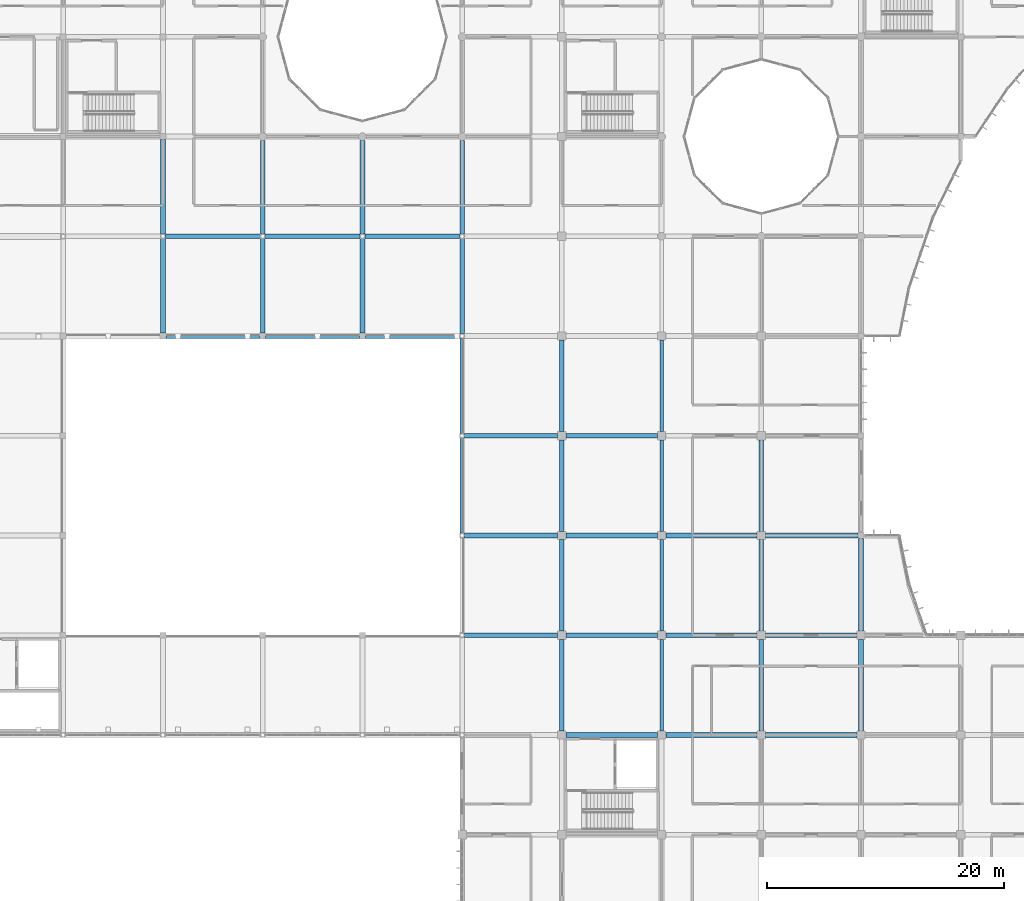
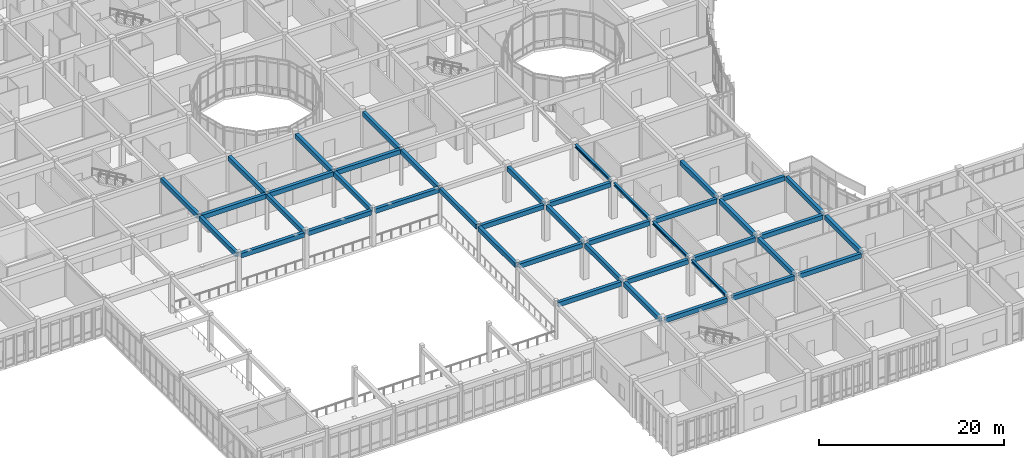
# One storey, part 24 of 134: 42 beams.
"""IFC4 building model written with IfcOpenShell, lengths in metres."""

from ifc_helpers import new_model, si_unit, direction, frame, origin, origin_2d, place, context, subcontext, project, spatial, rectangle, i_section, extrude, material, material_profile, profile_set, type_object, element, save


model = new_model("IFC4")

# Units and contexts
model_context = context("Model", 3, precision=1e-05, world=origin(), true_north=direction((0.0, 1.0)))
body_context = subcontext(model_context, "Body", "Model", "MODEL_VIEW")
ifc_project = project(units=[si_unit("LENGTHUNIT", "METRE"), si_unit("AREAUNIT", "SQUARE_METRE"), si_unit("VOLUMEUNIT", "CUBIC_METRE"), si_unit("PLANEANGLEUNIT", "RADIAN"), si_unit("MASSUNIT", "GRAM", prefix="KILO")], contexts=[model_context])

# Site, building, storey
site_placement = place(None, origin())
site = spatial("IfcSite", under=ifc_project, at=site_placement, CompositionType="ELEMENT")
building_placement = place(site_placement, origin())
building = spatial("IfcBuilding", under=site, at=building_placement, Name="Bramfleet General Hospital", CompositionType="ELEMENT")
storey_placement = place(building_placement, frame((0.0, 0.0, 9.300048828125)))
storey = spatial("IfcBuildingStorey", under=building, at=storey_placement, Name="L02", CompositionType="ELEMENT", Elevation=9.300048828125)

# Beams
ifc_material_1 = material(Name="Steel S355", Category="steel")
ifc_material_profile_1 = material_profile(ifc_material_1, i_section(OverallWidth=0.300048828125, OverallDepth=0.39990234375, WebThickness=0.013427734375, FlangeThickness=0.02392578125, FilletRadius=0.027099609375, at=origin_2d()), Name="HEB 400")
ifc_profile_set_1 = profile_set([ifc_material_profile_1], Name="Steel S355")
beam_type_1 = type_object("IfcBeamType", Name="BM-HEB400", PredefinedType="BEAM", material=ifc_profile_set_1)
beam_1_placement = place(storey_placement, frame((109.199951171875, 17.14990234375, 4.579833984375), z_axis=(0.0, 1.0, 0.0), x_axis=(-1.0, 0.0, 0.0)))
element("IfcBeam", 1, at=beam_1_placement, inside=storey, type_object=beam_type_1, Name="L02 Grid Beam Y 13-02", PredefinedType="BEAM", context=body_context, shape_type="SweptSolid", body=[
    extrude(i_section(OverallWidth=0.300048828125, OverallDepth=0.39990234375, WebThickness=0.013427734375, FlangeThickness=0.02392578125, FilletRadius=0.027099609375, at=origin_2d()), origin(), (0.0, 0.0, 1.0), 7.7001953125),
])
for number, where, z_axis, x_axis, name in (
    (2, (109.199951171875, 25.550048828125, 4.579833984375), (0.0, 1.0, 0.0), (-1.0, 0.0, 0.0), "L02 Grid Beam Y 13-03"),
    (3, (109.199951171875, 33.949951171875, 4.579833984375), (0.0, 1.0, 0.0), (-1.0, 0.0, 0.0), "L02 Grid Beam Y 13-04"),
    (4, (109.199951171875, 42.35009765625, 4.579833984375), (0.0, 1.0, 0.0), (-1.0, 0.0, 0.0), "L02 Grid Beam Y 13-05"),
):
    element("IfcBeam", number, at=place(storey_placement, frame(where, z_axis=z_axis, x_axis=x_axis)), inside=storey, type_object=beam_type_1, Name=name, PredefinedType="BEAM", context=body_context, shape_type="SweptSolid", body=[
        extrude(i_section(OverallWidth=0.300048828125, OverallDepth=0.39990234375, WebThickness=0.013427734375, FlangeThickness=0.02392578125, FilletRadius=0.027099609375, at=origin_2d()), origin(), (0.0, 0.0, 1.0), 7.699951171875),
    ])
ifc_material_2 = material(Name="Concrete C35/45", Category="concrete")
ifc_material_profile_2 = material_profile(ifc_material_2, rectangle(XDim=0.39990234375, YDim=0.60009765625, at=origin_2d()), Name="RC BM 600x400")
ifc_profile_set_2 = profile_set([ifc_material_profile_2], Name="Concrete C35/45")
beam_type_2 = type_object("IfcBeamType", Name="BM-RC600", PredefinedType="BEAM", material=ifc_profile_set_2)
beam_2_placement = place(storey_placement, frame((67.449951171875, 50.39990234375, 4.47998046875), z_axis=(1.0, 0.0, 0.0), x_axis=(0.0, 1.0, 0.0)))
element("IfcBeam", 5, at=beam_2_placement, inside=storey, type_object=beam_type_2, Name="L02 Grid Beam X 08-06", PredefinedType="BEAM", context=body_context, shape_type="SweptSolid", body=[
    extrude(rectangle(XDim=0.39990234375, YDim=0.60009765625, at=origin_2d()), origin(), (0.0, 0.0, 1.0), 7.900146484375),
])
beam_3_placement = place(storey_placement, frame((67.4033203125, 58.800048828125, 4.47998046875), z_axis=(1.0, 0.0, 0.0), x_axis=(0.0, 1.0, 0.0)))
element("IfcBeam", 6, at=beam_3_placement, inside=storey, type_object=beam_type_2, Name="L02 Grid Beam X 08-07", PredefinedType="BEAM", context=body_context, shape_type="SweptSolid", body=[
    extrude(rectangle(XDim=0.39990234375, YDim=0.60009765625, at=origin_2d()), origin(), (0.0, 0.0, 1.0), 7.993408203125),
])
beam_4_placement = place(storey_placement, frame((75.85009765625, 50.39990234375, 4.47998046875), z_axis=(1.0, 0.0, 0.0), x_axis=(0.0, 1.0, 0.0)))
element("IfcBeam", 7, at=beam_4_placement, inside=storey, type_object=beam_type_2, Name="L02 Grid Beam X 09-06", PredefinedType="BEAM", context=body_context, shape_type="SweptSolid", body=[
    extrude(rectangle(XDim=0.39990234375, YDim=0.60009765625, at=origin_2d()), origin(), (0.0, 0.0, 1.0), 7.89990234375),
])
beam_5_placement = place(storey_placement, frame((75.80322265625, 58.800048828125, 4.47998046875), z_axis=(1.0, 0.0, 0.0), x_axis=(0.0, 1.0, 0.0)))
element("IfcBeam", 8, at=beam_5_placement, inside=storey, type_object=beam_type_2, Name="L02 Grid Beam X 09-07", PredefinedType="BEAM", context=body_context, shape_type="SweptSolid", body=[
    extrude(rectangle(XDim=0.39990234375, YDim=0.60009765625, at=origin_2d()), origin(), (0.0, 0.0, 1.0), 7.99365234375),
])
beam_6_placement = place(storey_placement, frame((84.25, 50.39990234375, 4.47998046875), z_axis=(1.0, 0.0, 0.0), x_axis=(0.0, 1.0, 0.0)))
element("IfcBeam", 9, at=beam_6_placement, inside=storey, type_object=beam_type_2, Name="L02 Grid Beam X 10-06", PredefinedType="BEAM", context=body_context, shape_type="SweptSolid", body=[
    extrude(rectangle(XDim=0.39990234375, YDim=0.60009765625, at=origin_2d()), origin(), (0.0, 0.0, 1.0), 7.94677734375),
])
beam_7_placement = place(storey_placement, frame((84.203125, 58.800048828125, 4.47998046875), z_axis=(1.0, 0.0, 0.0), x_axis=(0.0, 1.0, 0.0)))
element("IfcBeam", 10, at=beam_7_placement, inside=storey, type_object=beam_type_2, Name="L02 Grid Beam X 10-07", PredefinedType="BEAM", context=body_context, shape_type="SweptSolid", body=[
    extrude(rectangle(XDim=0.39990234375, YDim=0.60009765625, at=origin_2d()), origin(), (0.0, 0.0, 1.0), 7.99365234375),
])
for number, where, z_axis, x_axis, name in (
    (11, (92.603271484375, 25.199951171875, 4.47998046875), (1.0, 0.0, 0.0), (0.0, 1.0, 0.0), "L02 Grid Beam X 11-03"),
    (12, (92.603271484375, 33.60009765625, 4.47998046875), (1.0, 0.0, 0.0), (0.0, 1.0, 0.0), "L02 Grid Beam X 11-04"),
    (13, (92.603271484375, 42.0, 4.47998046875), (1.0, 0.0, 0.0), (0.0, 1.0, 0.0), "L02 Grid Beam X 11-05"),
):
    element("IfcBeam", number, at=place(storey_placement, frame(where, z_axis=z_axis, x_axis=x_axis)), inside=storey, type_object=beam_type_2, Name=name, PredefinedType="BEAM", context=body_context, shape_type="SweptSolid", body=[
        extrude(rectangle(XDim=0.39990234375, YDim=0.60009765625, at=origin_2d()), origin(), (0.0, 0.0, 1.0), 7.8466796875),
    ])
for number, where, z_axis, x_axis, name in (
    (14, (101.14990234375, 16.800048828125, 4.47998046875), (1.0, 0.0, 0.0), (0.0, 1.0, 0.0), "L02 Grid Beam X 12-02"),
    (15, (101.14990234375, 25.199951171875, 4.47998046875), (1.0, 0.0, 0.0), (0.0, 1.0, 0.0), "L02 Grid Beam X 12-03"),
    (16, (101.14990234375, 33.60009765625, 4.47998046875), (1.0, 0.0, 0.0), (0.0, 1.0, 0.0), "L02 Grid Beam X 12-04"),
    (17, (101.14990234375, 42.0, 4.47998046875), (1.0, 0.0, 0.0), (0.0, 1.0, 0.0), "L02 Grid Beam X 12-05"),
):
    element("IfcBeam", number, at=place(storey_placement, frame(where, z_axis=z_axis, x_axis=x_axis)), inside=storey, type_object=beam_type_2, Name=name, PredefinedType="BEAM", context=body_context, shape_type="SweptSolid", body=[
        extrude(rectangle(XDim=0.39990234375, YDim=0.60009765625, at=origin_2d()), origin(), (0.0, 0.0, 1.0), 7.7001953125),
    ])
for number, where, z_axis, x_axis, name in (
    (18, (109.550048828125, 16.800048828125, 4.47998046875), (1.0, 0.0, 0.0), (0.0, 1.0, 0.0), "L02 Grid Beam X 13-02"),
    (19, (109.550048828125, 25.199951171875, 4.47998046875), (1.0, 0.0, 0.0), (0.0, 1.0, 0.0), "L02 Grid Beam X 13-03"),
    (20, (109.550048828125, 33.60009765625, 4.47998046875), (1.0, 0.0, 0.0), (0.0, 1.0, 0.0), "L02 Grid Beam X 13-04"),
    (21, (117.949951171875, 16.800048828125, 4.47998046875), (1.0, 0.0, 0.0), (0.0, 1.0, 0.0), "L02 Grid Beam X 14-02"),
    (22, (117.949951171875, 25.199951171875, 4.47998046875), (1.0, 0.0, 0.0), (0.0, 1.0, 0.0), "L02 Grid Beam X 14-03"),
):
    element("IfcBeam", number, at=place(storey_placement, frame(where, z_axis=z_axis, x_axis=x_axis)), inside=storey, type_object=beam_type_2, Name=name, PredefinedType="BEAM", context=body_context, shape_type="SweptSolid", body=[
        extrude(rectangle(XDim=0.39990234375, YDim=0.60009765625, at=origin_2d()), origin(), (0.0, 0.0, 1.0), 7.699951171875),
    ])
beam_8_placement = place(storey_placement, frame((117.949951171875, 33.60009765625, 4.47998046875), z_axis=(1.0, 0.0, 0.0), x_axis=(0.0, 1.0, 0.0)))
element("IfcBeam", 23, at=beam_8_placement, inside=storey, type_object=beam_type_2, Name="L02 Grid Beam X 14-04", PredefinedType="BEAM", context=body_context, shape_type="SweptSolid", body=[
    extrude(rectangle(XDim=0.39990234375, YDim=0.60009765625, at=origin_2d()), origin(), (0.0, 0.0, 1.0), 7.800048828125),
])
for number, where, z_axis, x_axis, name in (
    (24, (67.199951171875, 50.64990234375, 4.47998046875), (0.0, 1.0, 0.0), (-1.0, 0.0, 0.0), "L02 Grid Beam Y 08-06"),
    (25, (67.199951171875, 59.003173828125, 4.47998046875), (0.0, 1.0, 0.0), (-1.0, 0.0, 0.0), "L02 Grid Beam Y 08-07"),
    (26, (75.60009765625, 50.64990234375, 4.47998046875), (0.0, 1.0, 0.0), (-1.0, 0.0, 0.0), "L02 Grid Beam Y 09-06"),
):
    element("IfcBeam", number, at=place(storey_placement, frame(where, z_axis=z_axis, x_axis=x_axis)), inside=storey, type_object=beam_type_2, Name=name, PredefinedType="BEAM", context=body_context, shape_type="SweptSolid", body=[
        extrude(rectangle(XDim=0.39990234375, YDim=0.60009765625, at=origin_2d()), origin(), (0.0, 0.0, 1.0), 7.94677734375),
    ])
beam_9_placement = place(storey_placement, frame((75.60009765625, 59.003173828125, 4.47998046875), z_axis=(0.0, 1.0, 0.0), x_axis=(-1.0, 0.0, 0.0)))
element("IfcBeam", 27, at=beam_9_placement, inside=storey, type_object=beam_type_2, Name="L02 Grid Beam Y 09-07", PredefinedType="BEAM", context=body_context, shape_type="SweptSolid", body=[
    extrude(rectangle(XDim=0.39990234375, YDim=0.60009765625, at=origin_2d()), origin(), (0.0, 0.0, 1.0), 7.871826171875),
])
beam_10_placement = place(storey_placement, frame((84.0, 50.64990234375, 4.47998046875), z_axis=(0.0, 1.0, 0.0), x_axis=(-1.0, 0.0, 0.0)))
element("IfcBeam", 28, at=beam_10_placement, inside=storey, type_object=beam_type_2, Name="L02 Grid Beam Y 10-06", PredefinedType="BEAM", context=body_context, shape_type="SweptSolid", body=[
    extrude(rectangle(XDim=0.39990234375, YDim=0.60009765625, at=origin_2d()), origin(), (0.0, 0.0, 1.0), 7.94677734375),
])
beam_11_placement = place(storey_placement, frame((84.0, 59.003173828125, 4.47998046875), z_axis=(0.0, 1.0, 0.0), x_axis=(-1.0, 0.0, 0.0)))
element("IfcBeam", 29, at=beam_11_placement, inside=storey, type_object=beam_type_2, Name="L02 Grid Beam Y 10-07", PredefinedType="BEAM", context=body_context, shape_type="SweptSolid", body=[
    extrude(rectangle(XDim=0.39990234375, YDim=0.60009765625, at=origin_2d()), origin(), (0.0, 0.0, 1.0), 7.871826171875),
])
for number, where, z_axis, x_axis, name in (
    (30, (92.39990234375, 33.80322265625, 4.47998046875), (0.0, 1.0, 0.0), (-1.0, 0.0, 0.0), "L02 Grid Beam Y 11-04"),
    (31, (92.39990234375, 42.203125, 4.47998046875), (0.0, 1.0, 0.0), (-1.0, 0.0, 0.0), "L02 Grid Beam Y 11-05"),
):
    element("IfcBeam", number, at=place(storey_placement, frame(where, z_axis=z_axis, x_axis=x_axis)), inside=storey, type_object=beam_type_2, Name=name, PredefinedType="BEAM", context=body_context, shape_type="SweptSolid", body=[
        extrude(rectangle(XDim=0.39990234375, YDim=0.60009765625, at=origin_2d()), origin(), (0.0, 0.0, 1.0), 7.99365234375),
    ])
beam_12_placement = place(storey_placement, frame((92.39990234375, 50.603271484375, 4.47998046875), z_axis=(0.0, 1.0, 0.0), x_axis=(-1.0, 0.0, 0.0)))
element("IfcBeam", 32, at=beam_12_placement, inside=storey, type_object=beam_type_2, Name="L02 Grid Beam Y 11-06", PredefinedType="BEAM", context=body_context, shape_type="SweptSolid", body=[
    extrude(rectangle(XDim=0.39990234375, YDim=0.60009765625, at=origin_2d()), origin(), (0.0, 0.0, 1.0), 7.993408203125),
])
beam_13_placement = place(storey_placement, frame((92.39990234375, 59.003173828125, 4.47998046875), z_axis=(0.0, 1.0, 0.0), x_axis=(-1.0, 0.0, 0.0)))
element("IfcBeam", 33, at=beam_13_placement, inside=storey, type_object=beam_type_2, Name="L02 Grid Beam Y 11-07", PredefinedType="BEAM", context=body_context, shape_type="SweptSolid", body=[
    extrude(rectangle(XDim=0.39990234375, YDim=0.60009765625, at=origin_2d()), origin(), (0.0, 0.0, 1.0), 7.871826171875),
])
beam_14_placement = place(storey_placement, frame((100.800048828125, 17.14990234375, 4.47998046875), z_axis=(0.0, 1.0, 0.0), x_axis=(-1.0, 0.0, 0.0)))
element("IfcBeam", 34, at=beam_14_placement, inside=storey, type_object=beam_type_2, Name="L02 Grid Beam Y 12-02", PredefinedType="BEAM", context=body_context, shape_type="SweptSolid", body=[
    extrude(rectangle(XDim=0.39990234375, YDim=0.60009765625, at=origin_2d()), origin(), (0.0, 0.0, 1.0), 7.7001953125),
])
for number, where, z_axis, x_axis, name in (
    (35, (100.800048828125, 25.550048828125, 4.47998046875), (0.0, 1.0, 0.0), (-1.0, 0.0, 0.0), "L02 Grid Beam Y 12-03"),
    (36, (100.800048828125, 33.949951171875, 4.47998046875), (0.0, 1.0, 0.0), (-1.0, 0.0, 0.0), "L02 Grid Beam Y 12-04"),
    (37, (100.800048828125, 42.35009765625, 4.47998046875), (0.0, 1.0, 0.0), (-1.0, 0.0, 0.0), "L02 Grid Beam Y 12-05"),
):
    element("IfcBeam", number, at=place(storey_placement, frame(where, z_axis=z_axis, x_axis=x_axis)), inside=storey, type_object=beam_type_2, Name=name, PredefinedType="BEAM", context=body_context, shape_type="SweptSolid", body=[
        extrude(rectangle(XDim=0.39990234375, YDim=0.60009765625, at=origin_2d()), origin(), (0.0, 0.0, 1.0), 7.699951171875),
    ])
beam_15_placement = place(storey_placement, frame((117.60009765625, 17.14990234375, 4.47998046875), z_axis=(0.0, 1.0, 0.0), x_axis=(-1.0, 0.0, 0.0)))
element("IfcBeam", 38, at=beam_15_placement, inside=storey, type_object=beam_type_2, Name="L02 Grid Beam Y 14-02", PredefinedType="BEAM", context=body_context, shape_type="SweptSolid", body=[
    extrude(rectangle(XDim=0.39990234375, YDim=0.60009765625, at=origin_2d()), origin(), (0.0, 0.0, 1.0), 7.7001953125),
])
for number, where, z_axis, x_axis, name in (
    (39, (117.60009765625, 25.550048828125, 4.47998046875), (0.0, 1.0, 0.0), (-1.0, 0.0, 0.0), "L02 Grid Beam Y 14-03"),
    (40, (117.60009765625, 33.949951171875, 4.47998046875), (0.0, 1.0, 0.0), (-1.0, 0.0, 0.0), "L02 Grid Beam Y 14-04"),
):
    element("IfcBeam", number, at=place(storey_placement, frame(where, z_axis=z_axis, x_axis=x_axis)), inside=storey, type_object=beam_type_2, Name=name, PredefinedType="BEAM", context=body_context, shape_type="SweptSolid", body=[
        extrude(rectangle(XDim=0.39990234375, YDim=0.60009765625, at=origin_2d()), origin(), (0.0, 0.0, 1.0), 7.699951171875),
    ])
beam_16_placement = place(storey_placement, frame((126.0, 17.14990234375, 4.47998046875), z_axis=(0.0, 1.0, 0.0), x_axis=(-1.0, 0.0, 0.0)))
element("IfcBeam", 41, at=beam_16_placement, inside=storey, type_object=beam_type_2, Name="L02 Grid Beam Y 15-02", PredefinedType="BEAM", context=body_context, shape_type="SweptSolid", body=[
    extrude(rectangle(XDim=0.39990234375, YDim=0.60009765625, at=origin_2d()), origin(), (0.0, 0.0, 1.0), 7.7001953125),
])
beam_17_placement = place(storey_placement, frame((126.0, 25.550048828125, 4.47998046875), z_axis=(0.0, 1.0, 0.0), x_axis=(-1.0, 0.0, 0.0)))
element("IfcBeam", 42, at=beam_17_placement, inside=storey, type_object=beam_type_2, Name="L02 Grid Beam Y 15-03", PredefinedType="BEAM", context=body_context, shape_type="SweptSolid", body=[
    extrude(rectangle(XDim=0.39990234375, YDim=0.60009765625, at=origin_2d()), origin(), (0.0, 0.0, 1.0), 7.800048828125),
])

save(model, "model.ifc")
